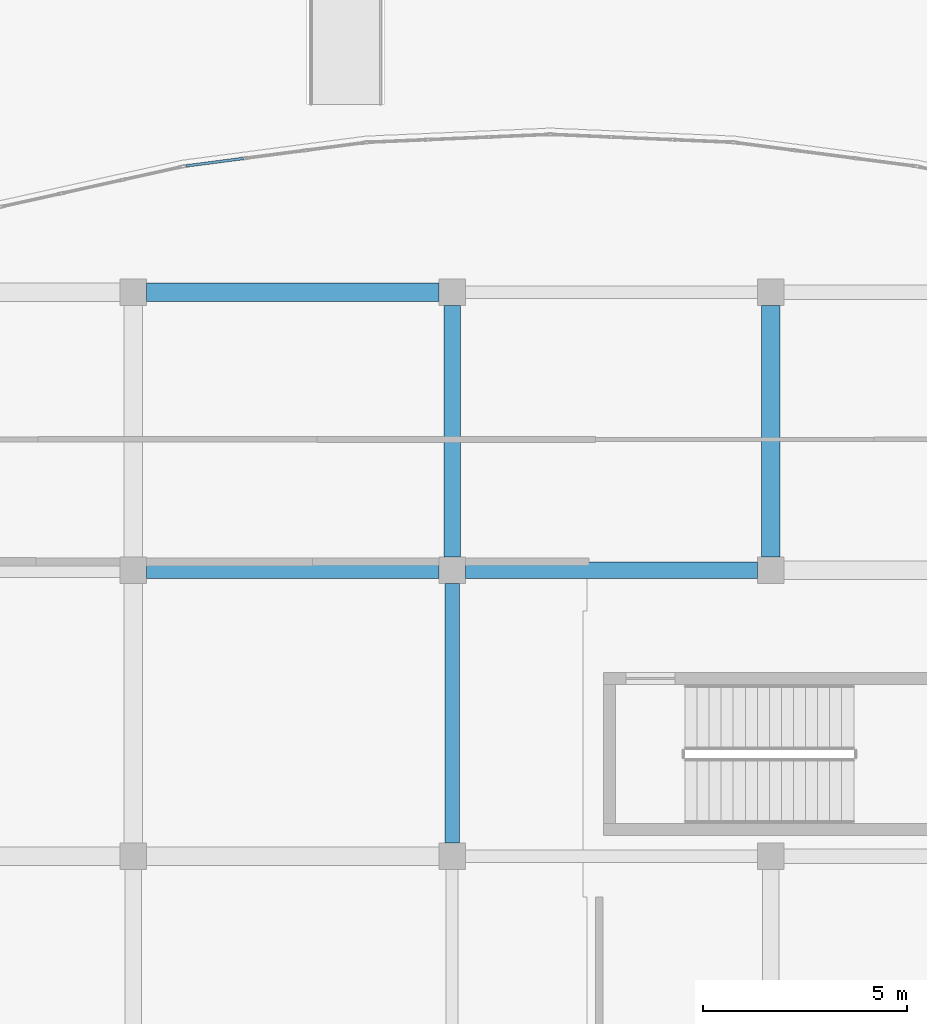
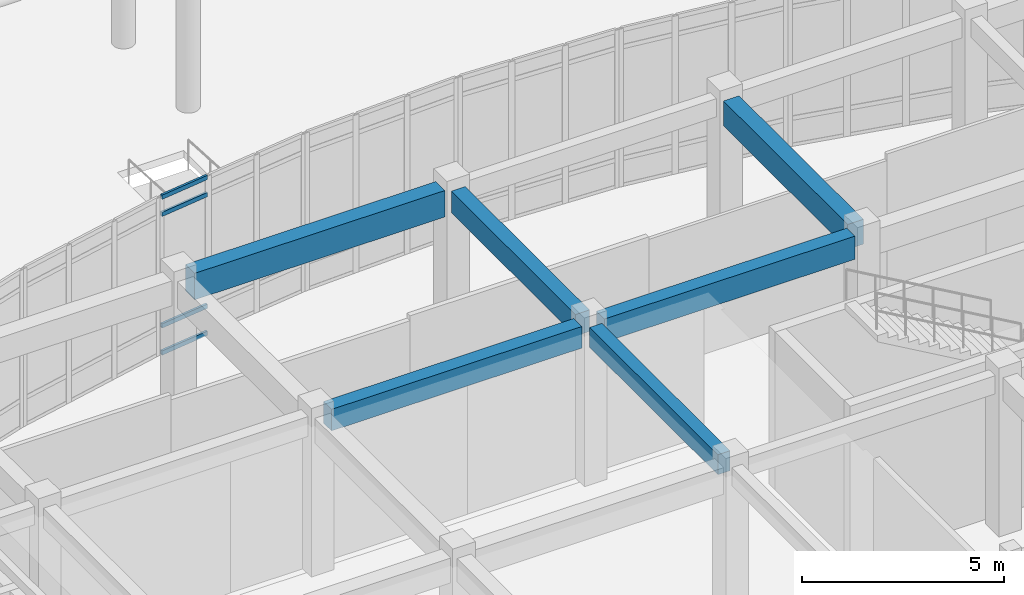
# One storey, part 31 of 121: 6 beams, 4 members, 1 element without a shape of its own.
"""IFC4 building model written with IfcOpenShell, lengths in metres."""

from ifc_helpers import new_model, si_unit, direction, frame, origin, origin_2d, place, context, subcontext, project, spatial, rectangle, hollow_rectangle, extrude, material, layer, layer_set, material_profile, profile_set, type_object, element, aggregate, save


model = new_model("IFC4")

# Units and contexts
model_context = context("Model", 3, precision=1e-05, world=origin(), true_north=direction((0.0, 1.0)))
body_context = subcontext(model_context, "Body", "Model", "MODEL_VIEW")
ifc_project = project(units=[si_unit("LENGTHUNIT", "METRE"), si_unit("AREAUNIT", "SQUARE_METRE"), si_unit("VOLUMEUNIT", "CUBIC_METRE"), si_unit("PLANEANGLEUNIT", "RADIAN"), si_unit("MASSUNIT", "GRAM", prefix="KILO")], contexts=[model_context])

# Site, building, storey
site_placement = place(None, origin())
site = spatial("IfcSite", under=ifc_project, at=site_placement, CompositionType="ELEMENT")
building_placement = place(site_placement, origin())
building = spatial("IfcBuilding", under=site, at=building_placement, Name="Valcora Specialist Clinic", CompositionType="ELEMENT")
storey_placement = place(building_placement, origin())
storey = spatial("IfcBuildingStorey", under=building, at=storey_placement, Name="L00", CompositionType="ELEMENT", Elevation=0.0)

# Beams
ifc_material_1 = material(Name="Concrete C40/50", Category="concrete")
ifc_material_profile_1 = material_profile(ifc_material_1, rectangle(XDim=0.35009765625, YDim=0.60009765625, at=origin_2d()), Name="RC-BM-350X600")
ifc_profile_set_1 = profile_set([ifc_material_profile_1], Name="Concrete C40/50")
beam_type_1 = type_object("IfcBeamType", Name="TY-BM-RC350X600", PredefinedType="BEAM", material=ifc_profile_set_1)
beam_1_placement = place(storey_placement, frame((84.60009765625, 8.52490234375, 4.469970703125), z_axis=(0.0, 1.0, 0.0), x_axis=(-1.0, 0.0, 0.0)))
element("IfcBeam", 1, at=beam_1_placement, inside=storey, type_object=beam_type_1, Name="Beam BM-L00-1272", PredefinedType="BEAM", context=body_context, shape_type="SweptSolid", body=[
    extrude(rectangle(XDim=0.35009765625, YDim=0.60009765625, at=origin_2d()), origin(), (0.0, 0.0, 1.0), 6.35009765625),
])
ifc_material_profile_2 = material_profile(ifc_material_1, rectangle(XDim=0.39990234375, YDim=0.64990234375, at=origin_2d()), Name="RC-BM-400X650")
ifc_profile_set_2 = profile_set([ifc_material_profile_2], Name="Concrete C40/50")
beam_type_2 = type_object("IfcBeamType", Name="TY-BM-RC400X650", PredefinedType="BEAM", material=ifc_profile_set_2)
beam_2_placement = place(storey_placement, frame((77.125, 15.199951171875, 4.445068359375), z_axis=(1.0, 0.0, 0.0), x_axis=(0.0, 1.0, 0.0)))
element("IfcBeam", 2, at=beam_2_placement, inside=storey, type_object=beam_type_2, Name="Beam BM-L00-1245", PredefinedType="BEAM", context=body_context, shape_type="SweptSolid", body=[
    extrude(rectangle(XDim=0.39990234375, YDim=0.64990234375, at=origin_2d()), origin(), (0.0, 0.0, 1.0), 7.14990234375),
])
beam_3_placement = place(storey_placement, frame((84.60009765625, 15.52490234375, 4.445068359375), z_axis=(0.0, 1.0, 0.0), x_axis=(-1.0, 0.0, 0.0)))
element("IfcBeam", 3, at=beam_3_placement, inside=storey, type_object=beam_type_2, Name="Beam BM-L00-1273", PredefinedType="BEAM", context=body_context, shape_type="SweptSolid", body=[
    extrude(rectangle(XDim=0.39990234375, YDim=0.64990234375, at=origin_2d()), origin(), (0.0, 0.0, 1.0), 6.150146484375),
])
ifc_material_profile_3 = material_profile(ifc_material_1, rectangle(XDim=0.39990234375, YDim=0.699951171875, at=origin_2d()), Name="RC-BM-400X700")
ifc_profile_set_3 = profile_set([ifc_material_profile_3], Name="Concrete C40/50")
beam_type_3 = type_object("IfcBeamType", Name="TY-BM-RC400X700", PredefinedType="BEAM", material=ifc_profile_set_3)
beam_4_placement = place(storey_placement, frame((84.925048828125, 15.199951171875, 4.419921875), z_axis=(1.0, 0.0, 0.0), x_axis=(0.0, 1.0, 0.0)))
element("IfcBeam", 4, at=beam_4_placement, inside=storey, type_object=beam_type_3, Name="Beam BM-L00-1246", PredefinedType="BEAM", context=body_context, shape_type="SweptSolid", body=[
    extrude(rectangle(XDim=0.39990234375, YDim=0.699951171875, at=origin_2d()), origin(), (0.0, 0.0, 1.0), 7.14990234375),
])
ifc_material_profile_4 = material_profile(ifc_material_1, rectangle(XDim=0.449951171875, YDim=0.75, at=origin_2d()), Name="RC-BM-450X750")
ifc_profile_set_4 = profile_set([ifc_material_profile_4], Name="Concrete C40/50")
beam_type_4 = type_object("IfcBeamType", Name="TY-BM-RC450X750", PredefinedType="BEAM", material=ifc_profile_set_4)
beam_5_placement = place(storey_placement, frame((92.39990234375, 15.52490234375, 4.39501953125), z_axis=(0.0, 1.0, 0.0), x_axis=(-1.0, 0.0, 0.0)))
element("IfcBeam", 5, at=beam_5_placement, inside=storey, type_object=beam_type_4, Name="Beam BM-L00-1275", PredefinedType="BEAM", context=body_context, shape_type="SweptSolid", body=[
    extrude(rectangle(XDim=0.449951171875, YDim=0.75, at=origin_2d()), origin(), (0.0, 0.0, 1.0), 6.150146484375),
])
ifc_material_profile_5 = material_profile(ifc_material_1, rectangle(XDim=0.449951171875, YDim=0.800048828125, at=origin_2d()), Name="RC-BM-450X800")
ifc_profile_set_5 = profile_set([ifc_material_profile_5], Name="Concrete C40/50")
beam_type_5 = type_object("IfcBeamType", Name="TY-BM-RC450X800", PredefinedType="BEAM", material=ifc_profile_set_5)
beam_6_placement = place(storey_placement, frame((77.125, 22.0, 4.3701171875), z_axis=(1.0, 0.0, 0.0), x_axis=(0.0, 1.0, 0.0)))
element("IfcBeam", 6, at=beam_6_placement, inside=storey, type_object=beam_type_5, Name="Beam BM-L00-1254", PredefinedType="BEAM", context=body_context, shape_type="SweptSolid", body=[
    extrude(rectangle(XDim=0.449951171875, YDim=0.800048828125, at=origin_2d()), origin(), (0.0, 0.0, 1.0), 7.14990234375),
])

# Curtain wall, members
ifc_material_2 = material(Name="Anodized Bronze Aluminium 6063-T6", Category="aluminium")
ifc_layer = layer(ifc_material_2, 0.175048828125)
ifc_layer_set = layer_set([ifc_layer], Name="Anodized Bronze Aluminium 6063-T6")
curtain_wall_type = type_object("IfcCurtainWallType", Name="TY-CW-ARC51", PredefinedType="NOTDEFINED", material=ifc_layer_set)
curtain_wall_placement = place(storey_placement, origin())
curtain_wall = element("IfcCurtainWall", 7, at=curtain_wall_placement, inside=storey, type_object=curtain_wall_type, Name="Curtain wall CW-L00-188", PredefinedType="NOTDEFINED")
ifc_material_profile_6 = material_profile(ifc_material_2, hollow_rectangle(XDim=0.06494140625, YDim=0.1298828125, WallThickness=0.00390625, at=origin_2d()), Name="AL-TRN-65X130")
ifc_profile_set_6 = profile_set([ifc_material_profile_6], Name="Anodized Bronze Aluminium 6063-T6")
member_type = type_object("IfcMemberType", Name="TY-CWT-65X130", PredefinedType="USERDEFINED", material=ifc_profile_set_6)
member_1_placement = place(storey_placement, frame((78.09033203125, 25.090576171875, 0.032470703125), z_axis=(0.991523055248, 0.129930869742, 0.0), x_axis=(-0.129930869742, 0.991523055248, 0.0)))
member_1 = element("IfcMember", 8, at=member_1_placement, type_object=member_type, Name="CW-ARC-51 transom 1.1", ObjectType="TRANSOM", PredefinedType="USERDEFINED", context=body_context, shape_type="SweptSolid", body=[
    extrude(hollow_rectangle(XDim=0.06494140625, YDim=0.1298828125, WallThickness=0.00390625, at=origin_2d()), origin(), (0.0, 0.0, 1.0), 1.4111328125),
])
member_2_placement = place(storey_placement, frame((78.09033203125, 25.090576171875, 0.85009765625), z_axis=(0.991523055248, 0.129930869742, 0.0), x_axis=(-0.129930869742, 0.991523055248, 0.0)))
member_2 = element("IfcMember", 9, at=member_2_placement, type_object=member_type, Name="CW-ARC-51 transom 1.2", ObjectType="TRANSOM", PredefinedType="USERDEFINED", context=body_context, shape_type="SweptSolid", body=[
    extrude(hollow_rectangle(XDim=0.06494140625, YDim=0.1298828125, WallThickness=0.00390625, at=origin_2d()), origin(), (0.0, 0.0, 1.0), 1.4111328125),
])
member_3_placement = place(storey_placement, frame((78.09033203125, 25.090576171875, 4.219970703125), z_axis=(0.991523055248, 0.129930869742, 0.0), x_axis=(-0.129930869742, 0.991523055248, 0.0)))
member_3 = element("IfcMember", 10, at=member_3_placement, type_object=member_type, Name="CW-ARC-51 transom 1.3", ObjectType="TRANSOM", PredefinedType="USERDEFINED", context=body_context, shape_type="SweptSolid", body=[
    extrude(hollow_rectangle(XDim=0.06494140625, YDim=0.1298828125, WallThickness=0.00390625, at=origin_2d()), origin(), (0.0, 0.0, 1.0), 1.4111328125),
])
member_4_placement = place(storey_placement, frame((78.09033203125, 25.090576171875, 4.737548828125), z_axis=(0.991523055248, 0.129930869742, 0.0), x_axis=(-0.129930869742, 0.991523055248, 0.0)))
member_4 = element("IfcMember", 11, at=member_4_placement, type_object=member_type, Name="CW-ARC-51 transom 1.4", ObjectType="TRANSOM", PredefinedType="USERDEFINED", context=body_context, shape_type="SweptSolid", body=[
    extrude(hollow_rectangle(XDim=0.06494140625, YDim=0.1298828125, WallThickness=0.00390625, at=origin_2d()), origin(), (0.0, 0.0, 1.0), 1.4111328125),
])
aggregate(curtain_wall, [member_1, member_2, member_3, member_4])

save(model, "model.ifc")
